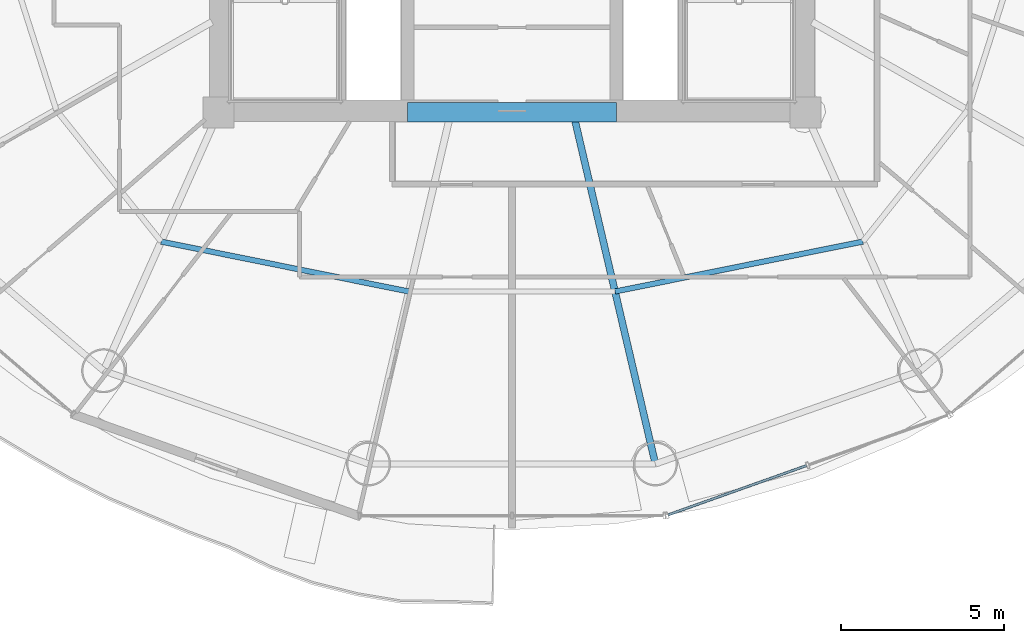
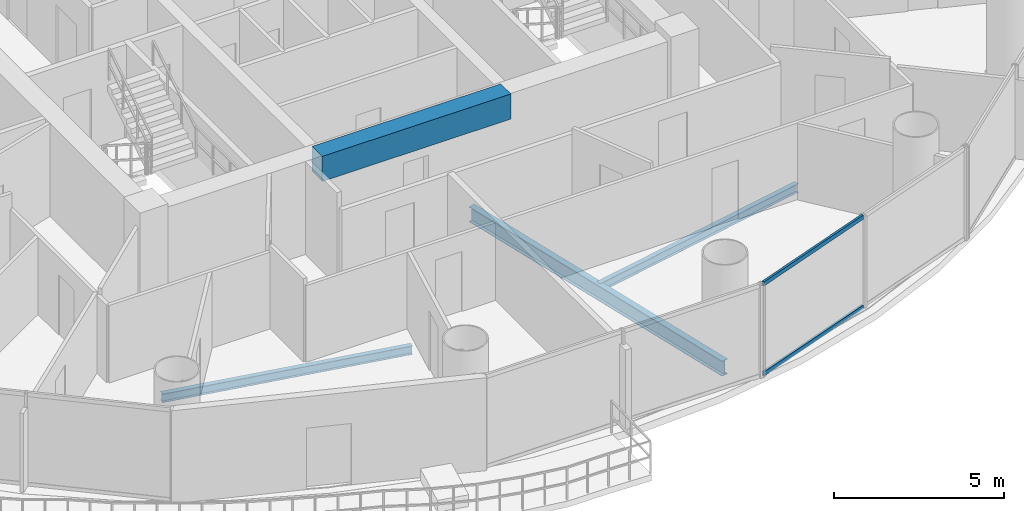
# One storey, part 6 of 27: 4 beams, 2 members, 1 element without a shape of its own.
"""IFC4 building model written with IfcOpenShell, lengths in metres."""

from ifc_helpers import new_model, si_unit, direction, frame, origin, origin_2d, place, context, subcontext, project, spatial, rectangle, hollow_rectangle, i_section, extrude, source, transform, mapped, material, material_profile, profile_set, type_object, element, aggregate, save


model = new_model("IFC4")

# Units and contexts
model_context = context("Model", 3, precision=1e-05, world=origin(), true_north=direction((-0.2419218956, 0.970295726276)))
body_context = subcontext(model_context, "Body", "Model", "MODEL_VIEW")
ifc_project = project(units=[si_unit("LENGTHUNIT", "METRE"), si_unit("AREAUNIT", "SQUARE_METRE"), si_unit("VOLUMEUNIT", "CUBIC_METRE"), si_unit("PLANEANGLEUNIT", "RADIAN"), si_unit("MASSUNIT", "GRAM", prefix="KILO")], contexts=[model_context])

# Site, building, storey
site_placement = place(None, origin())
site = spatial("IfcSite", under=ifc_project, at=site_placement, CompositionType="ELEMENT")
building_placement = place(site_placement, origin())
building = spatial("IfcBuilding", under=site, at=building_placement, Name="Cobrevalo Terracotta Tower", CompositionType="ELEMENT")
storey_placement = place(building_placement, frame((0.0, 0.0, 160.60009765625)))
storey = spatial("IfcBuildingStorey", under=building, at=storey_placement, Name="L42", CompositionType="ELEMENT", Elevation=160.60009765625)

# Beams
ifc_material_1 = material(Name="Concrete C60", Category="concrete")
ifc_material_profile_1 = material_profile(ifc_material_1, rectangle(XDim=0.60009765625, YDim=0.89990234375, at=origin_2d()), Name="RC CB 600x900")
ifc_profile_set_1 = profile_set([ifc_material_profile_1], Name="Concrete C60")
beam_type_1 = type_object("IfcBeamType", Name="Structural Beam RC CB 600x900 (Concrete C60)", PredefinedType="BEAM", material=ifc_profile_set_1)
beam_1_placement = place(storey_placement, frame((34.800048828125, 18.800048828125, 2.8798828125), z_axis=(1.0, 0.0, 0.0), x_axis=(0.0, 1.0, 0.0)))
element("IfcBeam", 1, at=beam_1_placement, inside=storey, type_object=beam_type_1, Name="L42 core coupling beam 1", PredefinedType="BEAM", context=body_context, shape_type="SweptSolid", body=[
    extrude(rectangle(XDim=0.60009765625, YDim=0.89990234375, at=origin_2d()), origin(), (0.0, 0.0, 1.0), 6.39990234375),
])
ifc_material_2 = material(Name="Steel S355", Category="steel")
ifc_material_profile_2 = material_profile(ifc_material_2, i_section(OverallWidth=0.2109375, OverallDepth=0.5390625, WebThickness=0.01171875, FlangeThickness=0.018798828125, at=origin_2d()), Name="W 530x109")
ifc_profile_set_2 = profile_set([ifc_material_profile_2], Name="Steel S355")
beam_type_2 = type_object("IfcBeamType", Name="Structural Beam W 530x109 (Steel S355)", PredefinedType="BEAM", material=ifc_profile_set_2)
beam_2_placement = place(storey_placement, frame((42.399169921875, 8.01806640625, -0.53955078125), z_axis=(-0.228045854186, 0.973650393308, 0.0), x_axis=(-0.973650393308, -0.228045854186, 0.0)))
element("IfcBeam", 2, at=beam_2_placement, inside=storey, type_object=beam_type_2, Name="L42 radial floor girder 13", PredefinedType="BEAM", context=body_context, shape_type="SweptSolid", body=[
    extrude(i_section(OverallWidth=0.2109375, OverallDepth=0.5390625, WebThickness=0.01171875, FlangeThickness=0.018798828125, at=origin_2d()), origin(), (0.0, 0.0, 1.0), 10.863037109375),
])
ifc_material_profile_3 = material_profile(ifc_material_2, i_section(OverallWidth=0.1650390625, OverallDepth=0.31005859375, WebThickness=0.005859375, FlangeThickness=0.009765625, at=origin_2d()), Name="W 310x38.7")
ifc_profile_set_3 = profile_set([ifc_material_profile_3], Name="Steel S355")
beam_type_3 = type_object("IfcBeamType", Name="Structural Joist W 310x38.7 (Steel S355)", PredefinedType="JOIST", material=ifc_profile_set_3)
for number, where, z_axis, x_axis, name in (
    (3, (27.23583984375, 14.838623046875, -0.425048828125), (0.980293928329, -0.197544461026, 0.0), (0.197544461026, 0.980293928329, 0.0), "L42 circumferential secondary floor joist 11"),
    (4, (41.16064453125, 13.306396484375, -0.425048828125), (0.980293928329, 0.197544461026, 0.0), (-0.197544461026, 0.980293928329, 0.0), "L42 circumferential secondary floor joist 13"),
):
    element("IfcBeam", number, at=place(storey_placement, frame(where, z_axis=z_axis, x_axis=x_axis)), inside=storey, type_object=beam_type_3, Name=name, PredefinedType="JOIST", context=body_context, shape_type="SweptSolid", body=[
        extrude(i_section(OverallWidth=0.1650390625, OverallDepth=0.31005859375, WebThickness=0.005859375, FlangeThickness=0.009765625, at=origin_2d()), origin(), (0.0, 0.0, 1.0), 7.75634765625),
    ])

# Curtain wall, members
ifc_material_3 = material(Name="Anodized aluminium", Category="aluminium")
curtain_wall_type = type_object("IfcCurtainWallType", Name="Mid-tower high-wind unitised curtain wall CW-U2", PredefinedType="NOTDEFINED", material=ifc_material_3)
curtain_wall_placement = place(storey_placement, origin())
curtain_wall = element("IfcCurtainWall", 5, at=curtain_wall_placement, inside=storey, type_object=curtain_wall_type, Name="L42 curtain wall CW-L42-S13", PredefinedType="NOTDEFINED")
ifc_material_profile_4 = material_profile(ifc_material_3, hollow_rectangle(XDim=0.074951171875, YDim=0.14990234375, WallThickness=0.00439453125, at=origin_2d()), Name="CWT 75x150")
ifc_profile_set_4 = profile_set([ifc_material_profile_4], Name="Anodized aluminium")
member_type = type_object("IfcMemberType", Name="Tower unitised aluminium transom 75x150", PredefinedType="USERDEFINED", material=ifc_profile_set_4)
shared_shape = source(origin(), body_context, "Body", "SweptSolid", [
    extrude(hollow_rectangle(XDim=0.074951171875, YDim=0.14990234375, WallThickness=0.00439453125, at=origin_2d()), origin(), (0.0, 0.0, 1.0), 4.50390625),
])
member_1_placement = place(storey_placement, frame((42.790771484375, 6.455810546875, 0.0498046875), z_axis=(0.942087248155, 0.335367882873, 0.0), x_axis=(-0.335367882873, 0.942087248155, 0.0)))
member_1 = element("IfcMember", 6, at=member_1_placement, type_object=member_type, Name="CW-L42-S13 transom B01-T1", ObjectType="TRANSOM", PredefinedType="USERDEFINED", context=body_context, shape_type="MappedRepresentation", body=[
    mapped(shared_shape, transform((0.0, 0.0, 0.0), scale=1.0)),
])
member_2_placement = place(storey_placement, frame((42.790771484375, 6.455810546875, 3.27978515625), z_axis=(0.942087248155, 0.335367882873, 0.0), x_axis=(-0.335367882873, 0.942087248155, 0.0)))
member_2 = element("IfcMember", 7, at=member_2_placement, type_object=member_type, Name="CW-L42-S13 transom B01-T2", ObjectType="TRANSOM", PredefinedType="USERDEFINED", context=body_context, shape_type="MappedRepresentation", body=[
    mapped(shared_shape, transform((0.0, 0.0, 0.0), scale=1.0)),
])
aggregate(curtain_wall, [member_1, member_2])

save(model, "model.ifc")
